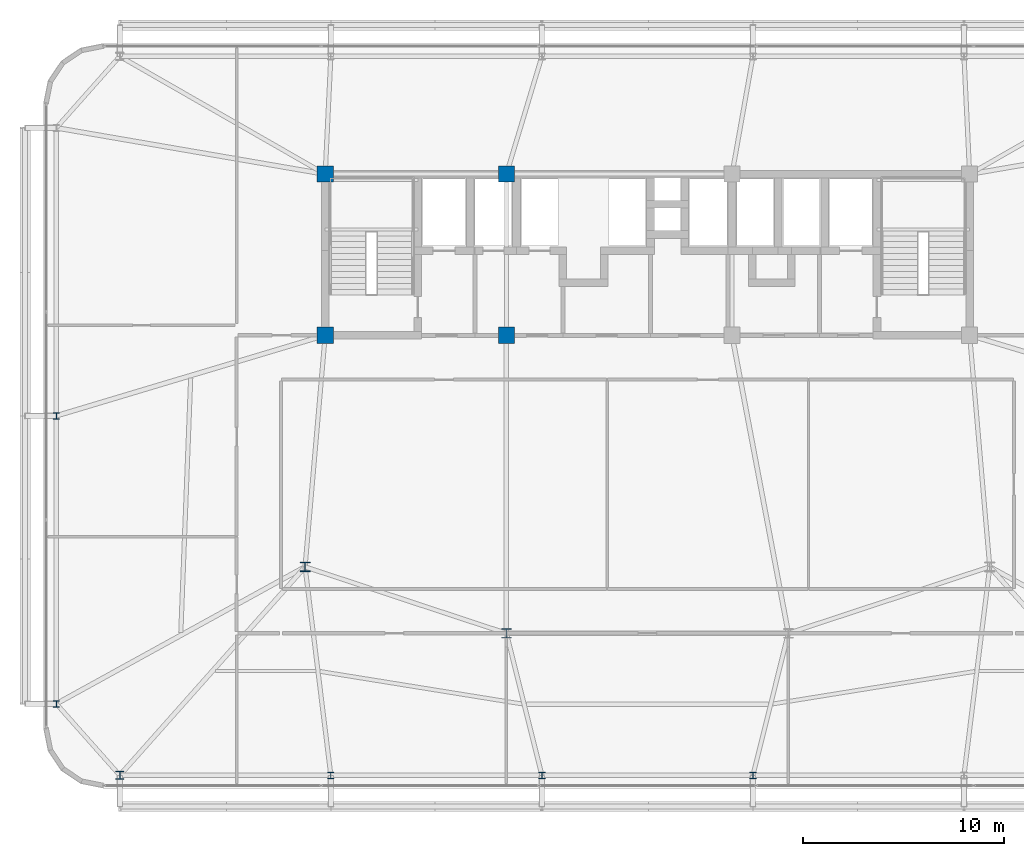
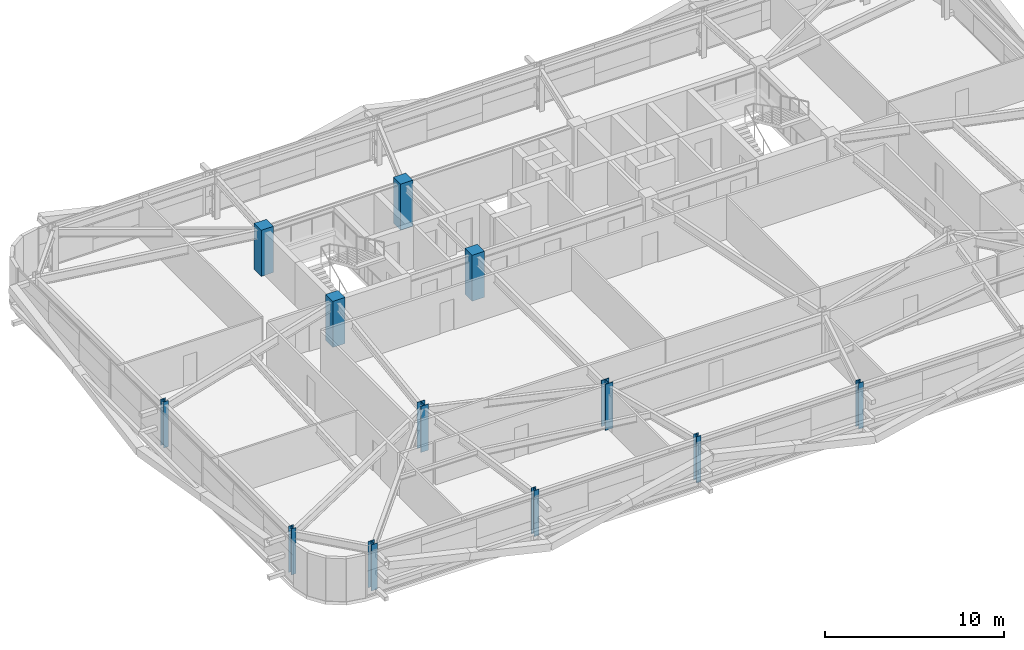
# One storey, part 1 of 44: 12 columns.
"""IFC4 building model written with IfcOpenShell, lengths in metres."""

from ifc_helpers import new_model, si_unit, direction, frame, origin, origin_2d, place, context, subcontext, project, spatial, rectangle, i_section, extrude, source, transform, mapped, material, material_profile, profile_set, type_object, element, save


model = new_model("IFC4")

# Units and contexts
model_context = context("Model", 3, precision=1e-05, world=origin(), true_north=direction((0.0, 1.0)))
body_context = subcontext(model_context, "Body", "Model", "MODEL_VIEW")
ifc_project = project(units=[si_unit("LENGTHUNIT", "METRE"), si_unit("AREAUNIT", "SQUARE_METRE"), si_unit("VOLUMEUNIT", "CUBIC_METRE"), si_unit("PLANEANGLEUNIT", "RADIAN"), si_unit("MASSUNIT", "GRAM", prefix="KILO")], contexts=[model_context])

# Site, building, storey
site_placement = place(None, origin())
site = spatial("IfcSite", under=ifc_project, at=site_placement, CompositionType="ELEMENT")
building_placement = place(site_placement, origin())
building = spatial("IfcBuilding", under=site, at=building_placement, Name="Taldren Reach Tower", CompositionType="ELEMENT")
storey_placement = place(building_placement, frame((0.0, 0.0, 38.85009765625)))
storey = spatial("IfcBuildingStorey", under=building, at=storey_placement, Name="L11", CompositionType="ELEMENT", Elevation=38.85009765625)

# Columns
ifc_material_1 = material(Name="Steel Gr 350 (350PLUS)", Category="steel")
ifc_material_profile_1 = material_profile(ifc_material_1, i_section(OverallWidth=0.5, OverallDepth=0.47998046875, WebThickness=0.028076171875, FlangeThickness=0.0439453125, at=origin_2d()), Name="500WC440")
ifc_profile_set_1 = profile_set([ifc_material_profile_1], Name="Steel Gr 350 (350PLUS)")
column_type_1 = type_object("IfcColumnType", Name="COL-WC500A", PredefinedType="COLUMN", material=ifc_profile_set_1)
shared_shape_1 = source(origin(), body_context, "Body", "SweptSolid", [
    extrude(i_section(OverallWidth=0.5, OverallDepth=0.47998046875, WebThickness=0.028076171875, FlangeThickness=0.0439453125, at=origin_2d()), origin(), (0.0, 0.0, 1.0), 3.14990234375),
])
column_1_placement = place(storey_placement, frame((28.0, 9.199951171875, 0.0), z_axis=(0.0, 0.0, 1.0), x_axis=(1.0, 0.0, 0.0)))
element("IfcColumn", 1, at=column_1_placement, inside=storey, type_object=column_type_1, Name="Mega column MC-PJW L11", PredefinedType="COLUMN", context=body_context, shape_type="MappedRepresentation", body=[
    mapped(shared_shape_1, transform((0.0, 0.0, 0.0), scale=1.0)),
])
ifc_material_profile_2 = material_profile(ifc_material_1, i_section(OverallWidth=0.39990234375, OverallDepth=0.39599609375, WebThickness=0.02197265625, FlangeThickness=0.033935546875, at=origin_2d()), Name="400WC270")
ifc_profile_set_2 = profile_set([ifc_material_profile_2], Name="Steel Gr 350 (350PLUS)")
column_type_2 = type_object("IfcColumnType", Name="COL-WC400", PredefinedType="COLUMN", material=ifc_profile_set_2)
shared_shape_2 = source(origin(), body_context, "Body", "SweptSolid", [
    extrude(i_section(OverallWidth=0.39990234375, OverallDepth=0.39599609375, WebThickness=0.02197265625, FlangeThickness=0.033935546875, at=origin_2d()), origin(), (0.0, 0.0, 1.0), 3.14990234375),
])
column_2_placement = place(storey_placement, frame((8.800048828125, 2.14990234375, 0.0), z_axis=(0.0, 0.0, 1.0), x_axis=(1.0, 0.0, 0.0)))
element("IfcColumn", 2, at=column_2_placement, inside=storey, type_object=column_type_2, Name="Block B1 perimeter column S1 L11", PredefinedType="COLUMN", context=body_context, shape_type="MappedRepresentation", body=[
    mapped(shared_shape_2, transform((0.0, 0.0, 0.0), scale=1.0)),
])
ifc_material_profile_3 = material_profile(ifc_material_1, i_section(OverallWidth=0.31103515625, OverallDepth=0.326904296875, WebThickness=0.015625, FlangeThickness=0.02490234375, at=origin_2d()), Name="310UC158")
ifc_profile_set_3 = profile_set([ifc_material_profile_3], Name="Steel Gr 350 (350PLUS)")
column_type_3 = type_object("IfcColumnType", Name="COL-UC310A", PredefinedType="COLUMN", material=ifc_profile_set_3)
shared_shape_3 = source(origin(), body_context, "Body", "SweptSolid", [
    extrude(i_section(OverallWidth=0.31103515625, OverallDepth=0.326904296875, WebThickness=0.015625, FlangeThickness=0.02490234375, at=origin_2d()), origin(), (0.0, 0.0, 1.0), 3.14990234375),
])
for number, where, z_axis, x_axis, name in (
    (3, (19.280029296875, 2.14990234375, 0.0), (0.0, 0.0, 1.0), (1.0, 0.0, 0.0), "Block B1 perimeter column S2 L11"),
    (4, (29.760009765625, 2.14990234375, 0.0), (0.0, 0.0, 1.0), (1.0, 0.0, 0.0), "Block B1 perimeter column S3 L11"),
    (5, (40.239990234375, 2.14990234375, 0.0), (0.0, 0.0, 1.0), (1.0, 0.0, 0.0), "Block B1 perimeter column S4 L11"),
    (6, (5.64990234375, 5.699951171875, 0.0), (0.0, 0.0, 1.0), (1.0, 0.0, 0.0), "Block B1 perimeter column W1 L11"),
    (7, (5.64990234375, 20.0, 0.0), (0.0, 0.0, 1.0), (1.0, 0.0, 0.0), "Block B1 perimeter column W2 L11"),
):
    element("IfcColumn", number, at=place(storey_placement, frame(where, z_axis=z_axis, x_axis=x_axis)), inside=storey, type_object=column_type_3, Name=name, PredefinedType="COLUMN", context=body_context, shape_type="MappedRepresentation", body=[
        mapped(shared_shape_3, transform((0.0, 0.0, 0.0), scale=1.0)),
    ])
ifc_material_2 = material(Name="Concrete S65 (65 MPa)", Category="concrete")
ifc_material_profile_4 = material_profile(ifc_material_2, rectangle(XDim=0.800048828125, YDim=0.800048828125, at=origin_2d()), Name="RC-800x800")
ifc_profile_set_4 = profile_set([ifc_material_profile_4], Name="Concrete S65 (65 MPa)")
column_type_4 = type_object("IfcColumnType", Name="COL-RC800", PredefinedType="COLUMN", material=ifc_profile_set_4)
shared_shape_4 = source(origin(), body_context, "Body", "SweptSolid", [
    extrude(rectangle(XDim=0.800048828125, YDim=0.800048828125, at=origin_2d()), origin(), (0.0, 0.0, 1.0), 3.14990234375),
])
for number, where, z_axis, x_axis, name in (
    (8, (19.0, 24.0, 0.0), (0.0, 0.0, 1.0), (1.0, 0.0, 0.0), "Mega column MC-C1 L11"),
    (9, (28.0, 24.0, 0.0), (0.0, 0.0, 1.0), (1.0, 0.0, 0.0), "Mega column MC-C2 L11"),
    (10, (19.0, 32.0, 0.0), (0.0, 0.0, 1.0), (1.0, 0.0, 0.0), "Mega column MC-C5 L11"),
    (11, (28.0, 32.0, 0.0), (0.0, 0.0, 1.0), (1.0, 0.0, 0.0), "Mega column MC-C6 L11"),
):
    element("IfcColumn", number, at=place(storey_placement, frame(where, z_axis=z_axis, x_axis=x_axis)), inside=storey, type_object=column_type_4, Name=name, PredefinedType="COLUMN", context=body_context, shape_type="MappedRepresentation", body=[
        mapped(shared_shape_4, transform((0.0, 0.0, 0.0), scale=1.0)),
    ])
ifc_material_profile_5 = material_profile(ifc_material_1, i_section(OverallWidth=0.5, OverallDepth=0.464111328125, WebThickness=0.02197265625, FlangeThickness=0.033935546875, at=origin_2d()), Name="500WC340")
ifc_profile_set_5 = profile_set([ifc_material_profile_5], Name="Steel Gr 350 (350PLUS)")
column_type_5 = type_object("IfcColumnType", Name="COL-WC500B", PredefinedType="COLUMN", material=ifc_profile_set_5)
shared_shape_5 = source(origin(), body_context, "Body", "SweptSolid", [
    extrude(i_section(OverallWidth=0.5, OverallDepth=0.464111328125, WebThickness=0.02197265625, FlangeThickness=0.033935546875, at=origin_2d()), origin(), (0.0, 0.0, 1.0), 3.14990234375),
])
column_3_placement = place(storey_placement, frame((18.0, 12.5, 0.0), z_axis=(0.0, 0.0, 1.0), x_axis=(1.0, 0.0, 0.0)))
element("IfcColumn", 12, at=column_3_placement, inside=storey, type_object=column_type_5, Name="Mega column MC-SW L11", PredefinedType="COLUMN", context=body_context, shape_type="MappedRepresentation", body=[
    mapped(shared_shape_5, transform((0.0, 0.0, 0.0), scale=1.0)),
])

save(model, "model.ifc")
